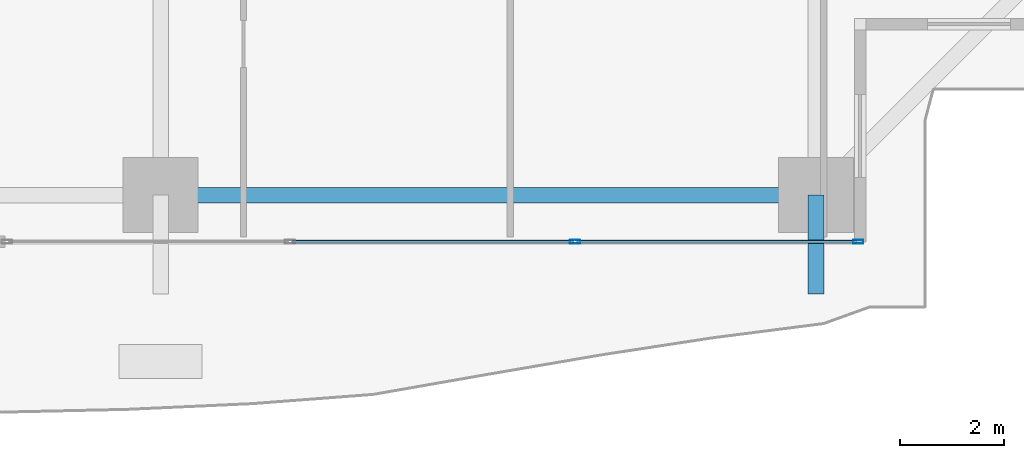
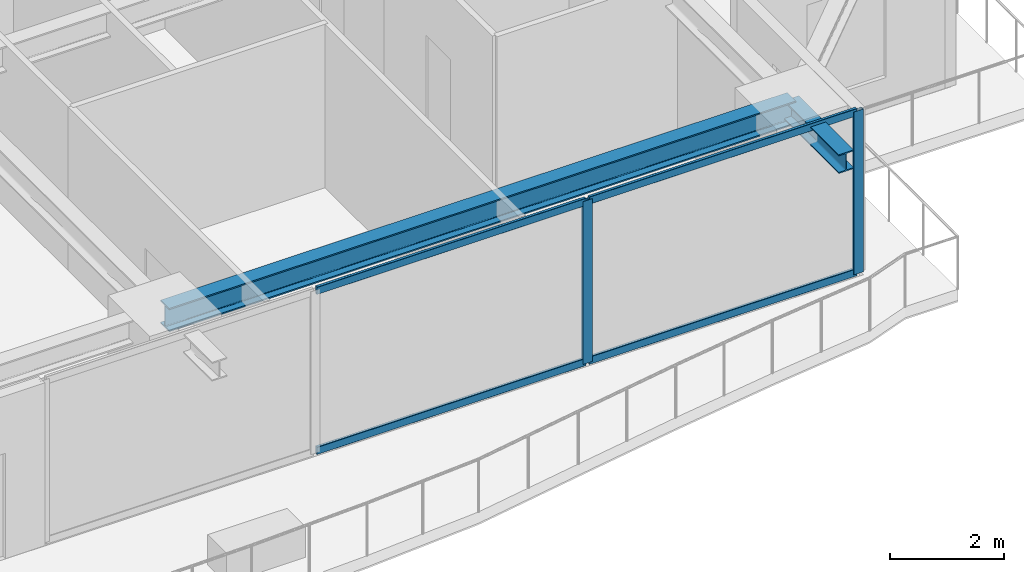
# One storey, part 11 of 39: 6 members, 2 beams, 1 element without a shape of its own.
"""IFC4 building model written with IfcOpenShell, lengths in metres."""

from ifc_helpers import new_model, si_unit, direction, frame, origin, origin_2d, place, context, subcontext, project, spatial, hollow_rectangle, i_section, extrude, source, transform, mapped, material, layer, layer_set, material_profile, profile_set, type_object, element, aggregate, save


model = new_model("IFC4")

# Units and contexts
model_context = context("Model", 3, precision=1e-05, world=origin(), true_north=direction((0.0, 1.0)))
body_context = subcontext(model_context, "Body", "Model", "MODEL_VIEW")
ifc_project = project(units=[si_unit("LENGTHUNIT", "METRE"), si_unit("AREAUNIT", "SQUARE_METRE"), si_unit("VOLUMEUNIT", "CUBIC_METRE"), si_unit("PLANEANGLEUNIT", "RADIAN"), si_unit("MASSUNIT", "GRAM", prefix="KILO")], contexts=[model_context])

# Site, building, storey
site_placement = place(None, origin())
site = spatial("IfcSite", under=ifc_project, at=site_placement, CompositionType="ELEMENT")
building_placement = place(site_placement, origin())
building = spatial("IfcBuilding", under=site, at=building_placement, Name="Serunith Strait Residences", CompositionType="ELEMENT")
storey_placement = place(building_placement, frame((0.0, 0.0, 79.199951171875)))
storey = spatial("IfcBuildingStorey", under=building, at=storey_placement, Name="L19", CompositionType="ELEMENT", Elevation=79.199951171875)

# Beams
ifc_material_1 = material(Name="Steel S355J2", Category="steel")
ifc_material_profile_1 = material_profile(ifc_material_1, i_section(OverallWidth=0.300048828125, OverallDepth=0.5, WebThickness=0.014404296875, FlangeThickness=0.028076171875, FilletRadius=0.027099609375, at=origin_2d()), Name="HEB 500")
ifc_profile_set_1 = profile_set([ifc_material_profile_1], Name="Steel S355J2")
beam_type_1 = type_object("IfcBeamType", Name="BM-HEB500", PredefinedType="BEAM", material=ifc_profile_set_1)
shared_shape_1 = source(origin(), body_context, "Body", "SweptSolid", [
    extrude(i_section(OverallWidth=0.300048828125, OverallDepth=0.5, WebThickness=0.014404296875, FlangeThickness=0.028076171875, FilletRadius=0.027099609375, at=origin_2d()), origin(), (0.0, 0.0, 1.0), 12.650146484375),
])
beam_1_placement = place(storey_placement, frame((36.89990234375, 1.10009765625, 3.237060546875), z_axis=(1.0, 0.0, 0.0), x_axis=(0.0, 1.0, 0.0)))
element("IfcBeam", 1, at=beam_1_placement, inside=storey, type_object=beam_type_1, Name="L19 Perimeter Ring Beam 03", PredefinedType="BEAM", context=body_context, shape_type="MappedRepresentation", body=[
    mapped(shared_shape_1, transform((0.0, 0.0, 0.0), scale=1.0)),
])
ifc_material_profile_2 = material_profile(ifc_material_1, i_section(OverallWidth=0.300048828125, OverallDepth=0.39990234375, WebThickness=0.013427734375, FlangeThickness=0.02392578125, FilletRadius=0.027099609375, at=origin_2d()), Name="HEB 400")
ifc_profile_set_2 = profile_set([ifc_material_profile_2], Name="Steel S355J2")
beam_type_2 = type_object("IfcBeamType", Name="BM-HEB400", PredefinedType="BEAM", material=ifc_profile_set_2)
shared_shape_2 = source(origin(), body_context, "Body", "SweptSolid", [
    extrude(i_section(OverallWidth=0.300048828125, OverallDepth=0.39990234375, WebThickness=0.013427734375, FlangeThickness=0.02392578125, FilletRadius=0.027099609375, at=origin_2d()), origin(), (0.0, 0.0, 1.0), 1.91015625),
])
beam_2_placement = place(storey_placement, frame((49.550048828125, 1.10009765625, 3.257080078125), z_axis=(0.0, -1.0, 0.0), x_axis=(1.0, 0.0, 0.0)))
element("IfcBeam", 2, at=beam_2_placement, inside=storey, type_object=beam_type_2, Name="L20 Cantilevered Balcony Rib TC-S4", PredefinedType="BEAM", context=body_context, shape_type="MappedRepresentation", body=[
    mapped(shared_shape_2, transform((0.0, 0.0, 0.0), scale=1.0)),
])

# Curtain wall, members
ifc_material_2 = material(Name="Pale-Champagne Anodised Aluminium", Category="aluminium")
ifc_layer = layer(ifc_material_2, 0.199951171875, Name="Pale-Champagne Anodised Aluminium")
ifc_layer_set = layer_set([ifc_layer], Name="Pale-Champagne Anodised Aluminium")
curtain_wall_type = type_object("IfcCurtainWallType", Name="CW-SYS1", PredefinedType="NOTDEFINED", material=ifc_layer_set)
curtain_wall_placement = place(storey_placement, origin())
curtain_wall = element("IfcCurtainWall", 3, at=curtain_wall_placement, inside=storey, type_object=curtain_wall_type, Name="L19 S Unitised Fritted Curtain Wall", PredefinedType="NOTDEFINED")
ifc_material_profile_3 = material_profile(ifc_material_2, hollow_rectangle(XDim=0.070068359375, YDim=0.199951171875, WallThickness=0.00390625, InnerFilletRadius=0.006103515625, OuterFilletRadius=0.010009765625, at=origin_2d()), Name="ALU 200x70x4")
ifc_profile_set_3 = profile_set([ifc_material_profile_3], Name="Pale-Champagne Anodised Aluminium")
member_type_1 = type_object("IfcMemberType", Name="CW-SYS1-MULL", PredefinedType="MULLION", material=ifc_profile_set_3)
shared_shape_3 = source(origin(), body_context, "Body", "SweptSolid", [
    extrude(hollow_rectangle(XDim=0.070068359375, YDim=0.199951171875, WallThickness=0.00390625, InnerFilletRadius=0.006103515625, OuterFilletRadius=0.010009765625, at=origin_2d()), origin(), (0.0, 0.0, 1.0), 3.47509765625),
])
member_1_placement = place(storey_placement, frame((44.89990234375, 0.199951171875, 0.0), z_axis=(0.0, 0.0, 1.0), x_axis=(0.0, 1.0, 0.0)))
member_1 = element("IfcMember", 4, at=member_1_placement, type_object=member_type_1, Name="CW-1 mullion 3", PredefinedType="MULLION", context=body_context, shape_type="MappedRepresentation", body=[
    mapped(shared_shape_3, transform((0.0, 0.0, 0.0), scale=1.0)),
])
member_2_placement = place(storey_placement, frame((50.364990234375, 0.199951171875, 0.0), z_axis=(0.0, 0.0, 1.0), x_axis=(0.0, 1.0, 0.0)))
member_2 = element("IfcMember", 5, at=member_2_placement, type_object=member_type_1, Name="CW-1 mullion 4", PredefinedType="MULLION", context=body_context, shape_type="MappedRepresentation", body=[
    mapped(shared_shape_3, transform((0.0, 0.0, 0.0), scale=1.0)),
])
ifc_material_profile_4 = material_profile(ifc_material_2, hollow_rectangle(XDim=0.06005859375, YDim=0.159912109375, WallThickness=0.00341796875, InnerFilletRadius=0.00537109375, OuterFilletRadius=0.0087890625, at=origin_2d()), Name="ALU 160x60x3.5")
ifc_profile_set_4 = profile_set([ifc_material_profile_4], Name="Pale-Champagne Anodised Aluminium")
member_type_2 = type_object("IfcMemberType", Name="CW-SYS1-TRAN", PredefinedType="USERDEFINED", material=ifc_profile_set_4)
shared_shape_4 = source(origin(), body_context, "Body", "SweptSolid", [
    extrude(hollow_rectangle(XDim=0.06005859375, YDim=0.159912109375, WallThickness=0.00341796875, InnerFilletRadius=0.00537109375, OuterFilletRadius=0.0087890625, at=origin_2d()), origin(), (0.0, 0.0, 1.0), 5.39501953125),
])
member_3_placement = place(storey_placement, frame((44.93505859375, 0.199951171875, 0.030029296875), z_axis=(1.0, 0.0, 0.0), x_axis=(0.0, 1.0, 0.0)))
member_3 = element("IfcMember", 6, at=member_3_placement, type_object=member_type_2, Name="CW-1 transom 3.1", ObjectType="TRANSOM", PredefinedType="USERDEFINED", context=body_context, shape_type="MappedRepresentation", body=[
    mapped(shared_shape_4, transform((0.0, 0.0, 0.0), scale=1.0)),
])
member_4_placement = place(storey_placement, frame((44.93505859375, 0.199951171875, 3.445068359375), z_axis=(1.0, 0.0, 0.0), x_axis=(0.0, 1.0, 0.0)))
member_4 = element("IfcMember", 7, at=member_4_placement, type_object=member_type_2, Name="CW-1 transom 3.2", ObjectType="TRANSOM", PredefinedType="USERDEFINED", context=body_context, shape_type="MappedRepresentation", body=[
    mapped(shared_shape_4, transform((0.0, 0.0, 0.0), scale=1.0)),
])
shared_shape_5 = source(origin(), body_context, "Body", "SweptSolid", [
    extrude(hollow_rectangle(XDim=0.06005859375, YDim=0.159912109375, WallThickness=0.00341796875, InnerFilletRadius=0.00537109375, OuterFilletRadius=0.0087890625, at=origin_2d()), origin(), (0.0, 0.0, 1.0), 5.429931640625),
])
member_5_placement = place(storey_placement, frame((39.43505859375, 0.199951171875, 0.030029296875), z_axis=(1.0, 0.0, 0.0), x_axis=(0.0, 1.0, 0.0)))
member_5 = element("IfcMember", 8, at=member_5_placement, type_object=member_type_2, Name="CW-1 transom 2.1", ObjectType="TRANSOM", PredefinedType="USERDEFINED", context=body_context, shape_type="MappedRepresentation", body=[
    mapped(shared_shape_5, transform((0.0, 0.0, 0.0), scale=1.0)),
])
member_6_placement = place(storey_placement, frame((39.43505859375, 0.199951171875, 3.445068359375), z_axis=(1.0, 0.0, 0.0), x_axis=(0.0, 1.0, 0.0)))
member_6 = element("IfcMember", 9, at=member_6_placement, type_object=member_type_2, Name="CW-1 transom 2.2", ObjectType="TRANSOM", PredefinedType="USERDEFINED", context=body_context, shape_type="MappedRepresentation", body=[
    mapped(shared_shape_5, transform((0.0, 0.0, 0.0), scale=1.0)),
])
aggregate(curtain_wall, [member_1, member_2, member_5, member_6, member_3, member_4])

save(model, "model.ifc")
